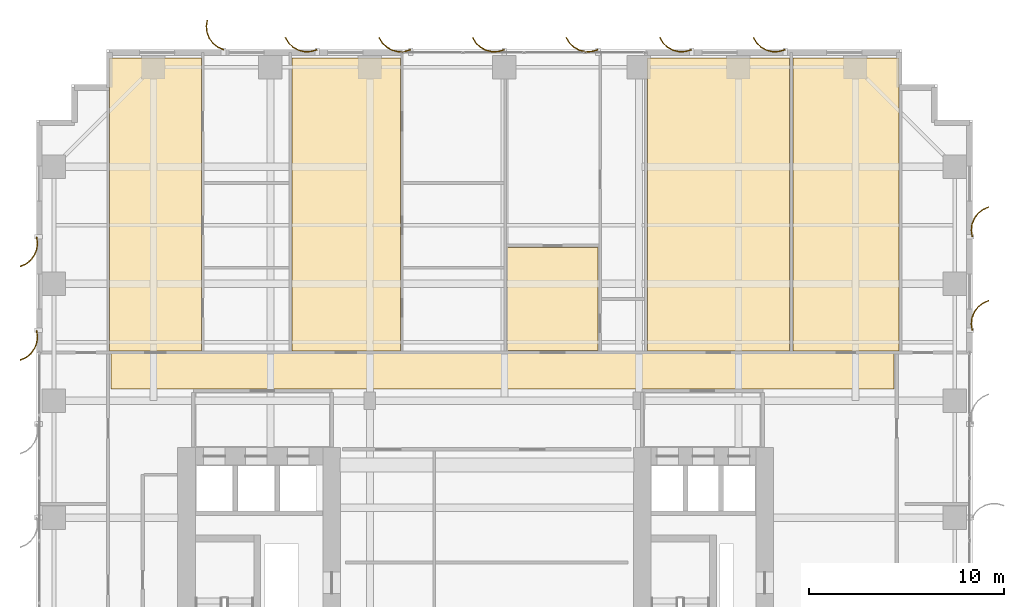
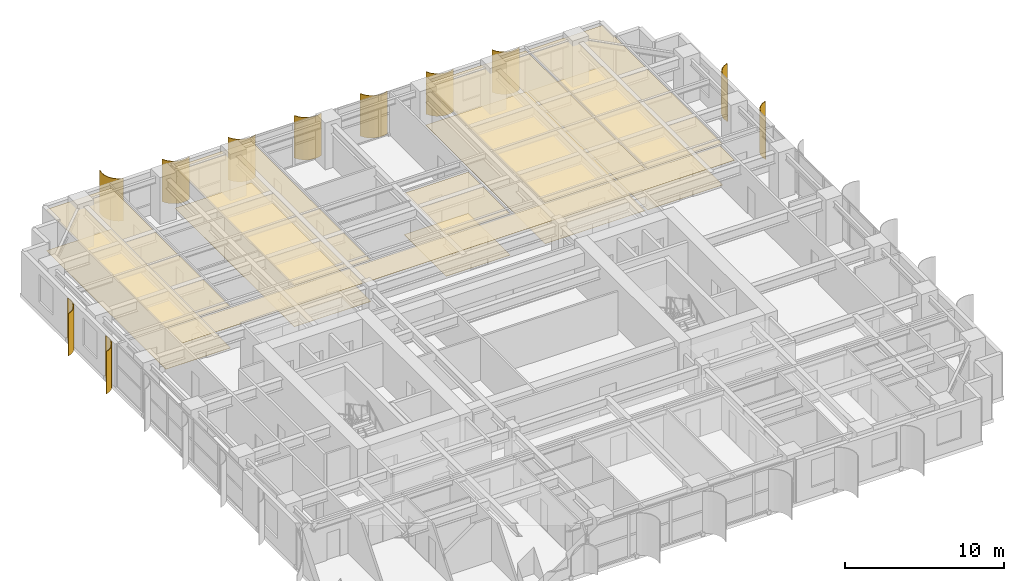
# One storey, part 23 of 23: 11 coverings, 11 shading devices.
"""IFC4 building model written with IfcOpenShell, lengths in metres."""

from ifc_helpers import new_model, si_unit, direction, frame, origin, place, context, subcontext, project, spatial, polyline, outline, extrude, source, transform, mapped, material, layer, layer_set, type_object, element, save


model = new_model("IFC4")

# Units and contexts
model_context = context("Model", 3, precision=1e-05, world=origin(), true_north=direction((0.0, 1.0)))
body_context = subcontext(model_context, "Body", "Model", "MODEL_VIEW")
ifc_project = project(units=[si_unit("LENGTHUNIT", "METRE"), si_unit("AREAUNIT", "SQUARE_METRE"), si_unit("VOLUMEUNIT", "CUBIC_METRE"), si_unit("PLANEANGLEUNIT", "RADIAN"), si_unit("MASSUNIT", "GRAM", prefix="KILO")], contexts=[model_context])

# Site, building, storey
site_placement = place(None, origin())
site = spatial("IfcSite", under=ifc_project, at=site_placement, CompositionType="ELEMENT")
building_placement = place(site_placement, origin())
building = spatial("IfcBuilding", under=site, at=building_placement, Name="Khoralis Quay Care Tower", CompositionType="ELEMENT")
storey_placement = place(building_placement, frame((0.0, 0.0, 36.89990234375)))
storey = spatial("IfcBuildingStorey", under=building, at=storey_placement, Name="L09", CompositionType="ELEMENT", Elevation=36.89990234375)

# Coverings
ifc_material_1 = material(Name="Mineral-fibre acoustic ceiling tile")
ifc_layer_1 = layer(ifc_material_1, 0.01806640625)
ifc_layer_set_1 = layer_set([ifc_layer_1], Name="Mineral-fibre acoustic ceiling tile")
covering_type_1 = type_object("IfcCoveringType", Name="COV-CEIL-AC18", PredefinedType="CEILING", material=ifc_layer_set_1)
covering_1_placement = place(storey_placement, frame((0.0, 0.0, 3.172119140625)))
element("IfcCovering", 1, at=covering_1_placement, inside=storey, type_object=covering_type_1, Name="Suspended Acoustic Ceiling SP-L09-CORR-N", PredefinedType="CEILING", context=body_context, shape_type="SweptSolid", body=[
    extrude(outline(polyline([(3.820068359375, 30.590087890625), (43.97998046875, 30.590087890625), (43.97998046875, 32.419921875), (3.820068359375, 32.419921875), (3.820068359375, 30.590087890625)])), origin(), (0.0, 0.0, 1.0), 0.01806640625),
])
covering_2_placement = place(storey_placement, frame((0.0, 0.0, 3.172119140625)))
element("IfcCovering", 2, at=covering_2_placement, inside=storey, type_object=covering_type_1, Name="Suspended Acoustic Ceiling SP-L09-NB-LIV0", PredefinedType="CEILING", context=body_context, shape_type="SweptSolid", body=[
    extrude(outline(polyline([(3.760009765625, 32.5400390625), (8.45703125, 32.5400390625), (8.45703125, 47.580078125), (3.760009765625, 47.580078125), (3.760009765625, 32.5400390625)])), origin(), (0.0, 0.0, 1.0), 0.01806640625),
])
covering_3_placement = place(storey_placement, frame((0.0, 0.0, 3.172119140625)))
element("IfcCovering", 3, at=covering_3_placement, inside=storey, type_object=covering_type_1, Name="Suspended Acoustic Ceiling SP-L09-NB-LIV1", PredefinedType="CEILING", context=body_context, shape_type="SweptSolid", body=[
    extrude(outline(polyline([(13.10009765625, 32.5400390625), (18.676025390625, 32.5400390625), (18.676025390625, 47.580078125), (13.10009765625, 47.580078125), (13.10009765625, 32.5400390625)])), origin(), (0.0, 0.0, 1.0), 0.01806640625),
])
covering_4_placement = place(storey_placement, frame((0.0, 0.0, 3.172119140625)))
element("IfcCovering", 4, at=covering_4_placement, inside=storey, type_object=covering_type_1, Name="Suspended Acoustic Ceiling SP-L09-NB-CARE2", PredefinedType="CEILING", context=body_context, shape_type="SweptSolid", body=[
    extrude(outline(polyline([(24.14990234375, 32.56005859375), (28.81005859375, 32.56005859375), (28.81005859375, 37.85009765625), (24.14990234375, 37.85009765625), (24.14990234375, 32.56005859375)])), origin(), (0.0, 0.0, 1.0), 0.01806640625),
])
covering_5_placement = place(storey_placement, frame((0.0, 0.0, 3.172119140625)))
element("IfcCovering", 5, at=covering_5_placement, inside=storey, type_object=covering_type_1, Name="Suspended Acoustic Ceiling SP-L09-NB-COM3", PredefinedType="CEILING", context=body_context, shape_type="SweptSolid", body=[
    extrude(outline(polyline([(31.340087890625, 32.5400390625), (38.6298828125, 32.5400390625), (38.6298828125, 47.580078125), (31.340087890625, 47.580078125), (31.340087890625, 32.5400390625)])), origin(), (0.0, 0.0, 1.0), 0.01806640625),
])
covering_6_placement = place(storey_placement, frame((0.0, 0.0, 3.172119140625)))
element("IfcCovering", 6, at=covering_6_placement, inside=storey, type_object=covering_type_1, Name="Suspended Acoustic Ceiling SP-L09-NB-COM4", PredefinedType="CEILING", context=body_context, shape_type="SweptSolid", body=[
    extrude(outline(polyline([(38.7900390625, 32.5400390625), (44.239990234375, 32.5400390625), (44.239990234375, 47.580078125), (38.7900390625, 47.580078125), (38.7900390625, 32.5400390625)])), origin(), (0.0, 0.0, 1.0), 0.01806640625),
])
ifc_material_2 = material(Name="Porcelain and non-slip vinyl flooring")
ifc_layer_2 = layer(ifc_material_2, 0.02001953125)
ifc_layer_set_2 = layer_set([ifc_layer_2], Name="Porcelain and non-slip vinyl flooring")
covering_type_2 = type_object("IfcCoveringType", Name="COV-FLOOR-20", PredefinedType="FLOORING", material=ifc_layer_set_2)
covering_7_placement = place(storey_placement, origin())
element("IfcCovering", 7, at=covering_7_placement, inside=storey, type_object=covering_type_2, Name="Resilient Healthcare Flooring SP-L09-NB-LIV0", PredefinedType="FLOORING", context=body_context, shape_type="SweptSolid", body=[
    extrude(outline(polyline([(3.760009765625, 32.5400390625), (8.45703125, 32.5400390625), (8.45703125, 47.580078125), (3.760009765625, 47.580078125), (3.760009765625, 32.5400390625)])), origin(), (0.0, 0.0, 1.0), 0.02001953125),
])
covering_8_placement = place(storey_placement, origin())
element("IfcCovering", 8, at=covering_8_placement, inside=storey, type_object=covering_type_2, Name="Resilient Healthcare Flooring SP-L09-NB-LIV1", PredefinedType="FLOORING", context=body_context, shape_type="SweptSolid", body=[
    extrude(outline(polyline([(13.10009765625, 32.5400390625), (18.676025390625, 32.5400390625), (18.676025390625, 47.580078125), (13.10009765625, 47.580078125), (13.10009765625, 32.5400390625)])), origin(), (0.0, 0.0, 1.0), 0.02001953125),
])
covering_9_placement = place(storey_placement, origin())
element("IfcCovering", 9, at=covering_9_placement, inside=storey, type_object=covering_type_2, Name="Resilient Healthcare Flooring SP-L09-NB-CARE2", PredefinedType="FLOORING", context=body_context, shape_type="SweptSolid", body=[
    extrude(outline(polyline([(24.14990234375, 32.56005859375), (28.81005859375, 32.56005859375), (28.81005859375, 37.85009765625), (24.14990234375, 37.85009765625), (24.14990234375, 32.56005859375)])), origin(), (0.0, 0.0, 1.0), 0.02001953125),
])
covering_10_placement = place(storey_placement, origin())
element("IfcCovering", 10, at=covering_10_placement, inside=storey, type_object=covering_type_2, Name="Resilient Healthcare Flooring SP-L09-NB-COM3", PredefinedType="FLOORING", context=body_context, shape_type="SweptSolid", body=[
    extrude(outline(polyline([(31.340087890625, 32.5400390625), (38.6298828125, 32.5400390625), (38.6298828125, 47.580078125), (31.340087890625, 47.580078125), (31.340087890625, 32.5400390625)])), origin(), (0.0, 0.0, 1.0), 0.02001953125),
])
covering_11_placement = place(storey_placement, origin())
element("IfcCovering", 11, at=covering_11_placement, inside=storey, type_object=covering_type_2, Name="Resilient Healthcare Flooring SP-L09-NB-COM4", PredefinedType="FLOORING", context=body_context, shape_type="SweptSolid", body=[
    extrude(outline(polyline([(38.7900390625, 32.5400390625), (44.239990234375, 32.5400390625), (44.239990234375, 47.580078125), (38.7900390625, 47.580078125), (38.7900390625, 32.5400390625)])), origin(), (0.0, 0.0, 1.0), 0.02001953125),
])

# Shading devices
ifc_material_3 = material(Name="Brushed pale anodised aluminium", Category="aluminium")
ifc_layer_3 = layer(ifc_material_3, 0.044921875)
ifc_layer_set_3 = layer_set([ifc_layer_3], Name="Brushed pale anodised aluminium")
shading_device_type = type_object("IfcShadingDeviceType", Name="SHD-FIN-1250", PredefinedType="USERDEFINED", material=ifc_layer_set_3)
shared_shape_1 = source(origin(), body_context, "Body", "SweptSolid", [
    extrude(outline(polyline([(0.0, 0.0), (0.130126953125, 0.29931640625), (0.333251953125, 0.5546875), (0.595458984375, 0.748779296875), (0.899169921875, 0.868408203125), (1.223388671875, 0.9052734375), (1.546142578125, 0.85693359375), (1.53369140625, 0.813720703125), (1.22265625, 0.8603515625), (0.91015625, 0.82470703125), (0.617431640625, 0.70947265625), (0.364501953125, 0.522216796875), (0.168701171875, 0.276123046875), (0.043212890625, -0.012451171875), (0.0, 0.0)])), origin(), (0.0, 0.0, 1.0), 3.260009765625),
])
shading_device_placement = place(storey_placement, frame((9.60009765625, 47.969970703125, 0.02001953125), z_axis=(0.0, 0.0, 1.0), x_axis=(0.0, 1.0, 0.0)))
element("IfcShadingDevice", 12, at=shading_device_placement, inside=storey, type_object=shading_device_type, Name="L09 Curved Solar Fin P1E10-07", ObjectType="FIN", PredefinedType="USERDEFINED", context=body_context, shape_type="MappedRepresentation", body=[
    mapped(shared_shape_1, transform((0.0, 0.0, 0.0), scale=1.0)),
])
shared_shape_2 = source(origin(), body_context, "Body", "SweptSolid", [
    extrude(outline(polyline([(0.0, 0.0), (-0.04833984375, 0.32275390625), (-0.01123046875, 0.64697265625), (0.1083984375, 0.950439453125), (0.302490234375, 1.212890625), (0.557861328125, 1.416015625), (0.85693359375, 1.546142578125), (0.869384765625, 1.5029296875), (0.5810546875, 1.37744140625), (0.334716796875, 1.181640625), (0.147705078125, 0.9287109375), (0.032470703125, 0.635986328125), (-0.003173828125, 0.323486328125), (0.043212890625, 0.012451171875), (0.0, 0.0)])), origin(), (0.0, 0.0, 1.0), 3.260009765625),
])
for number, where, z_axis, x_axis, name in (
    (13, (47.969970703125, 33.60009765625, 0.02001953125), (0.0, 0.0, 1.0), (1.0, 0.0, 0.0), "L09 Curved Solar Fin P1E5-06"),
    (14, (47.969970703125, 38.39990234375, 0.02001953125), (0.0, 0.0, 1.0), (1.0, 0.0, 0.0), "L09 Curved Solar Fin P1E5-07"),
    (15, (0.030029296875, 38.39990234375, 0.02001953125), (0.0, 0.0, 1.0), (-1.0, 0.0, 0.0), "L09 Curved Solar Fin P1E15-01"),
    (16, (0.030029296875, 33.60009765625, 0.02001953125), (0.0, 0.0, 1.0), (-1.0, 0.0, 0.0), "L09 Curved Solar Fin P1E15-02"),
):
    element("IfcShadingDevice", number, at=place(storey_placement, frame(where, z_axis=z_axis, x_axis=x_axis)), inside=storey, type_object=shading_device_type, Name=name, ObjectType="FIN", PredefinedType="USERDEFINED", context=body_context, shape_type="MappedRepresentation", body=[
        mapped(shared_shape_2, transform((0.0, 0.0, 0.0), scale=1.0)),
    ])
shared_shape_3 = source(origin(), body_context, "Body", "SweptSolid", [
    extrude(outline(polyline([(0.0, 0.0), (-0.0927734375, 0.31298828125), (-0.101318359375, 0.63916015625), (-0.025146484375, 0.956298828125), (0.130615234375, 1.2431640625), (0.355224609375, 1.479736328125), (0.633544921875, 1.650390625), (0.65185546875, 1.609130859375), (0.383544921875, 1.44482421875), (0.1669921875, 1.216796875), (0.01708984375, 0.940185546875), (-0.056396484375, 0.63427734375), (-0.04833984375, 0.31982421875), (0.041015625, 0.018310546875), (0.0, 0.0)])), origin(), (0.0, 0.0, 1.0), 3.260009765625),
])
for number, where, z_axis, x_axis, name in (
    (17, (38.39990234375, 47.969970703125, 0.02001953125), (0.0, 0.0, 1.0), (0.0, 1.0, 0.0), "L09 Curved Solar Fin P1E10-01"),
    (18, (33.60009765625, 47.969970703125, 0.02001953125), (0.0, 0.0, 1.0), (0.0, 1.0, 0.0), "L09 Curved Solar Fin P1E10-02"),
    (19, (28.800048828125, 47.969970703125, 0.02001953125), (0.0, 0.0, 1.0), (0.0, 1.0, 0.0), "L09 Curved Solar Fin P1E10-03"),
    (20, (24.0, 47.969970703125, 0.02001953125), (0.0, 0.0, 1.0), (0.0, 1.0, 0.0), "L09 Curved Solar Fin P1E10-04"),
    (21, (19.199951171875, 47.969970703125, 0.02001953125), (0.0, 0.0, 1.0), (0.0, 1.0, 0.0), "L09 Curved Solar Fin P1E10-05"),
    (22, (14.39990234375, 47.969970703125, 0.02001953125), (0.0, 0.0, 1.0), (0.0, 1.0, 0.0), "L09 Curved Solar Fin P1E10-06"),
):
    element("IfcShadingDevice", number, at=place(storey_placement, frame(where, z_axis=z_axis, x_axis=x_axis)), inside=storey, type_object=shading_device_type, Name=name, ObjectType="FIN", PredefinedType="USERDEFINED", context=body_context, shape_type="MappedRepresentation", body=[
        mapped(shared_shape_3, transform((0.0, 0.0, 0.0), scale=1.0)),
    ])

save(model, "model.ifc")
